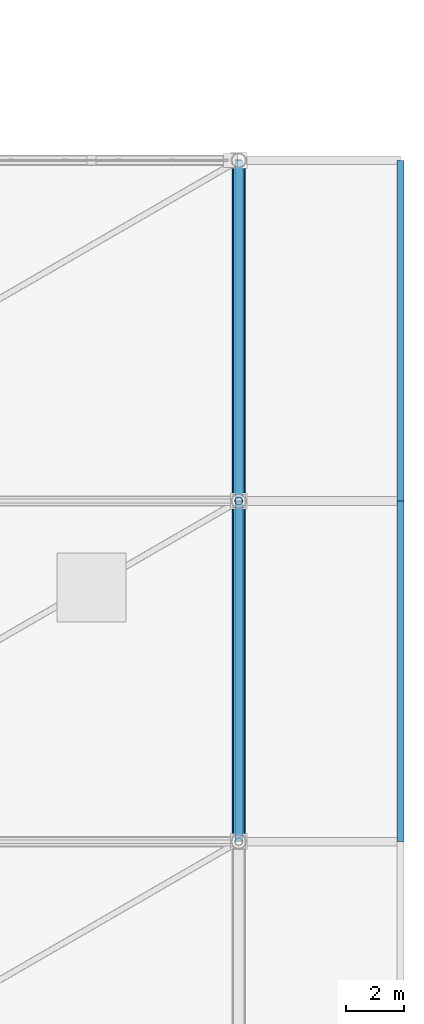
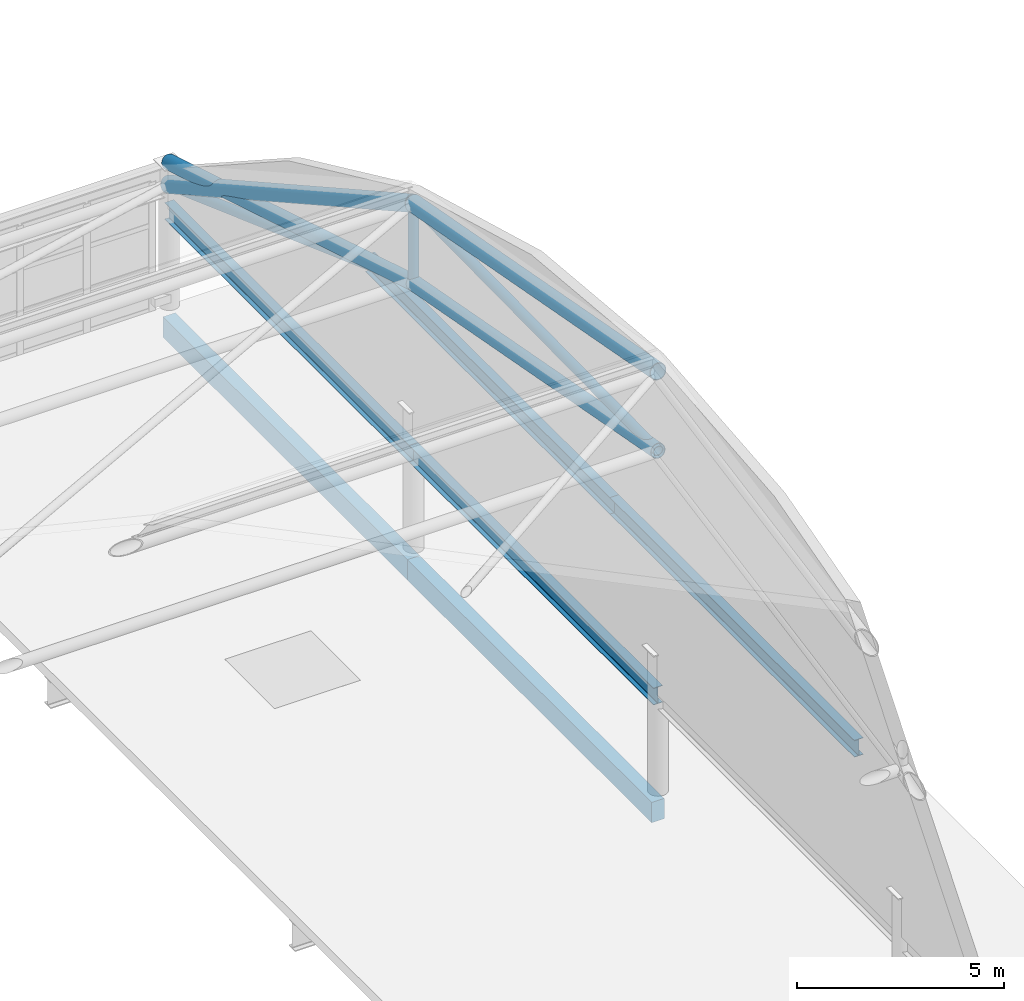
# One storey, part 83 of 135: 7 members, 6 beams.
"""IFC4 building model written with IfcOpenShell, lengths in metres."""

from ifc_helpers import new_model, si_unit, direction, frame, origin, origin_2d, place, context, subcontext, project, spatial, rectangle, hollow_circle, i_section, extrude, material, material_profile, profile_set, type_object, element, save


model = new_model("IFC4")

# Units and contexts
model_context = context("Model", 3, precision=1e-05, world=origin(), true_north=direction((0.0, 1.0)))
body_context = subcontext(model_context, "Body", "Model", "MODEL_VIEW")
ifc_project = project(units=[si_unit("LENGTHUNIT", "METRE"), si_unit("AREAUNIT", "SQUARE_METRE"), si_unit("VOLUMEUNIT", "CUBIC_METRE"), si_unit("PLANEANGLEUNIT", "RADIAN"), si_unit("MASSUNIT", "GRAM", prefix="KILO")], contexts=[model_context])

# Site, building, storey
site_placement = place(None, origin())
site = spatial("IfcSite", under=ifc_project, at=site_placement, CompositionType="ELEMENT")
building_placement = place(site_placement, origin())
building = spatial("IfcBuilding", under=site, at=building_placement, Name="Brelvane Convention Centre", CompositionType="ELEMENT")
storey_placement = place(building_placement, frame((0.0, 0.0, 15.0)))
storey = spatial("IfcBuildingStorey", under=building, at=storey_placement, Name="L03", CompositionType="ELEMENT", Elevation=15.0)

# Beams
ifc_material_1 = material(Name="Concrete M40", Category="concrete")
ifc_material_profile_1 = material_profile(ifc_material_1, rectangle(XDim=0.35009765625, YDim=0.60009765625, at=origin_2d()), Name="RC 350x600")
ifc_profile_set_1 = profile_set([ifc_material_profile_1], Name="Concrete M40")
beam_type_1 = type_object("IfcBeamType", Name="RC Spandrel SP-RC2 (RC 350x600)", PredefinedType="SPANDREL", material=ifc_profile_set_1)
for number, where, z_axis, x_axis, name in (
    (1, (224.39990234375, 64.199951171875, -0.60009765625), (0.0, 1.0, 0.0), (-1.0, 0.0, 0.0), "L03 Girder 23/G-H"),
    (2, (224.39990234375, 76.0, -0.60009765625), (0.0, 1.0, 0.0), (-1.0, 0.0, 0.0), "L03 Girder 23/H-J"),
):
    element("IfcBeam", number, at=place(storey_placement, frame(where, z_axis=z_axis, x_axis=x_axis)), inside=storey, type_object=beam_type_1, Name=name, PredefinedType="SPANDREL", context=body_context, shape_type="SweptSolid", body=[
        extrude(rectangle(XDim=0.35009765625, YDim=0.60009765625, at=origin_2d()), origin(), (0.0, 0.0, 1.0), 11.800048828125),
    ])

# Members
ifc_material_2 = material(Name="Steel E350 (350 MPa)", Category="steel")
ifc_material_profile_2 = material_profile(ifc_material_2, hollow_circle(Radius=0.136474609375, WallThickness=0.012451171875, at=origin_2d()), Name="CHS 273.0x12.5")
ifc_profile_set_2 = profile_set([ifc_material_profile_2], Name="Steel E350 (350 MPa)")
member_type_1 = type_object("IfcMemberType", Name="Steel Brace SF-DG1 (CHS 273.0x12.5)", PredefinedType="BRACE", material=ifc_profile_set_2)
member_1_placement = place(storey_placement, frame((224.39990234375, 64.199951171875, 10.0), z_axis=(0.0, 0.999929733881, 0.011854421151), x_axis=(-1.0, 0.0, 0.0)))
element("IfcMember", 3, at=member_1_placement, inside=storey, type_object=member_type_1, Name="SF_PLEN Space-Frame Web Diagonal D4.3", PredefinedType="BRACE", context=body_context, shape_type="SweptSolid", body=[
    extrude(hollow_circle(Radius=0.136474609375, WallThickness=0.012451171875, at=origin_2d()), origin(), (0.0, 0.0, 1.0), 11.80078125),
])
member_2_placement = place(storey_placement, frame((224.39990234375, 76.0, 7.800048828125), z_axis=(0.0, 0.940582389683, -0.339565558057), x_axis=(-1.0, 0.0, 0.0)))
element("IfcMember", 4, at=member_2_placement, inside=storey, type_object=member_type_1, Name="SF_PLEN Space-Frame Web Diagonal D4.4", PredefinedType="BRACE", context=body_context, shape_type="SweptSolid", body=[
    extrude(hollow_circle(Radius=0.136474609375, WallThickness=0.012451171875, at=origin_2d()), origin(), (0.0, 0.0, 1.0), 12.54541015625),
])
ifc_material_3 = material(Name="Steel E450 (450 MPa)", Category="steel")
ifc_material_profile_3 = material_profile(ifc_material_3, hollow_circle(Radius=0.203125, WallThickness=0.01611328125, at=origin_2d()), Name="CHS 406.4x16.0")
ifc_profile_set_3 = profile_set([ifc_material_profile_3], Name="Steel E450 (450 MPa)")
member_type_2 = type_object("IfcMemberType", Name="Steel Chord SF-BC1 (CHS 406.4x16.0)", PredefinedType="CHORD", material=ifc_profile_set_3)
member_3_placement = place(storey_placement, frame((224.39990234375, 64.199951171875, 10.0), z_axis=(0.0, 0.983061168522, -0.183277764458), x_axis=(-1.0, 0.0, 0.0)))
element("IfcMember", 5, at=member_3_placement, inside=storey, type_object=member_type_2, Name="SF_PLEN Space-Frame Bottom Chord B4.3", PredefinedType="CHORD", context=body_context, shape_type="SweptSolid", body=[
    extrude(hollow_circle(Radius=0.203125, WallThickness=0.01611328125, at=origin_2d()), origin(), (0.0, 0.0, 1.0), 12.00341796875),
])
member_4_placement = place(storey_placement, frame((224.39990234375, 76.0, 7.800048828125), z_axis=(0.0, 0.956475457798, -0.291812780102), x_axis=(-1.0, 0.0, 0.0)))
element("IfcMember", 6, at=member_4_placement, inside=storey, type_object=member_type_2, Name="SF_PLEN Space-Frame Bottom Chord B4.4", PredefinedType="CHORD", context=body_context, shape_type="SweptSolid", body=[
    extrude(hollow_circle(Radius=0.203125, WallThickness=0.01611328125, at=origin_2d()), origin(), (0.0, 0.0, 1.0), 12.3369140625),
])
ifc_material_4 = material(Name="Steel E450 (450 MPa)", Category="steel")
ifc_material_profile_4 = material_profile(ifc_material_4, hollow_circle(Radius=0.228515625, WallThickness=0.02001953125, at=origin_2d()), Name="CHS 457.0x20.0")
ifc_profile_set_4 = profile_set([ifc_material_profile_4], Name="Steel E450 (450 MPa)")
member_type_3 = type_object("IfcMemberType", Name="Steel Chord SF-TC1 (CHS 457.0x20.0)", PredefinedType="CHORD", material=ifc_profile_set_4)
member_5_placement = place(storey_placement, frame((224.39990234375, 64.199951171875, 12.340087890625), z_axis=(0.0, 0.983057503734, -0.183297420472), x_axis=(-1.0, 0.0, 0.0)))
element("IfcMember", 7, at=member_5_placement, inside=storey, type_object=member_type_3, Name="SF_PLEN Space-Frame Top Chord T4.3", PredefinedType="CHORD", context=body_context, shape_type="SweptSolid", body=[
    extrude(hollow_circle(Radius=0.228515625, WallThickness=0.02001953125, at=origin_2d()), origin(), (0.0, 0.0, 1.0), 12.00341796875),
])
member_6_placement = place(storey_placement, frame((224.39990234375, 76.0, 10.139892578125), z_axis=(0.0, 0.872763623528, -0.488143070673), x_axis=(-1.0, 0.0, 0.0)))
element("IfcMember", 8, at=member_6_placement, inside=storey, type_object=member_type_3, Name="SF_PLEN Space-Frame Top Chord T4.4", PredefinedType="CHORD", context=body_context, shape_type="SweptSolid", body=[
    extrude(hollow_circle(Radius=0.228515625, WallThickness=0.02001953125, at=origin_2d()), origin(), (0.0, 0.0, 1.0), 13.520263671875),
])

# Beams
ifc_material_5 = material(Name="Steel E350 (350 MPa)", Category="steel")
ifc_material_profile_5 = material_profile(ifc_material_5, i_section(OverallWidth=0.25, OverallDepth=0.5, WebThickness=0.010009765625, FlangeThickness=0.0146484375, FilletRadius=0.01611328125, at=origin_2d()), Name="ISWB 500")
ifc_profile_set_5 = profile_set([ifc_material_profile_5], Name="Steel E350 (350 MPa)")
beam_type_2 = type_object("IfcBeamType", Name="Steel Spandrel SP-ST1 (ISWB 500)", PredefinedType="SPANDREL", material=ifc_profile_set_5)
for number, where, z_axis, x_axis, name in (
    (9, (230.0, 64.199951171875, -0.699951171875), (0.0, 1.0, 0.0), (-1.0, 0.0, 0.0), "L03 Plenary Overhang Tip Spandrel 5"),
    (10, (230.0, 76.0, -0.699951171875), (0.0, 1.0, 0.0), (-1.0, 0.0, 0.0), "L03 Plenary Overhang Tip Spandrel 6"),
    (11, (224.39990234375, 64.199951171875, 2.800048828125), (0.0, 1.0, 0.0), (-1.0, 0.0, 0.0), "Plenary Gable Tie Girder E-3"),
    (12, (224.39990234375, 76.0, 2.800048828125), (0.0, 1.0, 0.0), (-1.0, 0.0, 0.0), "Plenary Gable Tie Girder E-4"),
):
    element("IfcBeam", number, at=place(storey_placement, frame(where, z_axis=z_axis, x_axis=x_axis)), inside=storey, type_object=beam_type_2, Name=name, PredefinedType="SPANDREL", context=body_context, shape_type="SweptSolid", body=[
        extrude(i_section(OverallWidth=0.25, OverallDepth=0.5, WebThickness=0.010009765625, FlangeThickness=0.0146484375, FilletRadius=0.01611328125, at=origin_2d()), origin(), (0.0, 0.0, 1.0), 11.800048828125),
    ])

# Member
ifc_material_6 = material(Name="Steel E350 (350 MPa)", Category="steel")
ifc_material_profile_6 = material_profile(ifc_material_6, hollow_circle(Radius=0.136474609375, WallThickness=0.012451171875, at=origin_2d()), Name="CHS 273.0x12.5")
ifc_profile_set_6 = profile_set([ifc_material_profile_6], Name="Steel E350 (350 MPa)")
member_type_4 = type_object("IfcMemberType", Name="Steel Strut SF-VT1 (CHS 273.0x12.5)", PredefinedType="STRUT", material=ifc_profile_set_6)
member_7_placement = place(storey_placement, frame((224.39990234375, 76.0, 7.800048828125), z_axis=(0.0, 0.0, 1.0), x_axis=(1.0, 0.0, 0.0)))
element("IfcMember", 13, at=member_7_placement, inside=storey, type_object=member_type_4, Name="SF_PLEN Space-Frame Post V4.3", PredefinedType="STRUT", context=body_context, shape_type="SweptSolid", body=[
    extrude(hollow_circle(Radius=0.136474609375, WallThickness=0.012451171875, at=origin_2d()), origin(), (0.0, 0.0, 1.0), 2.33984375),
])

save(model, "model.ifc")
